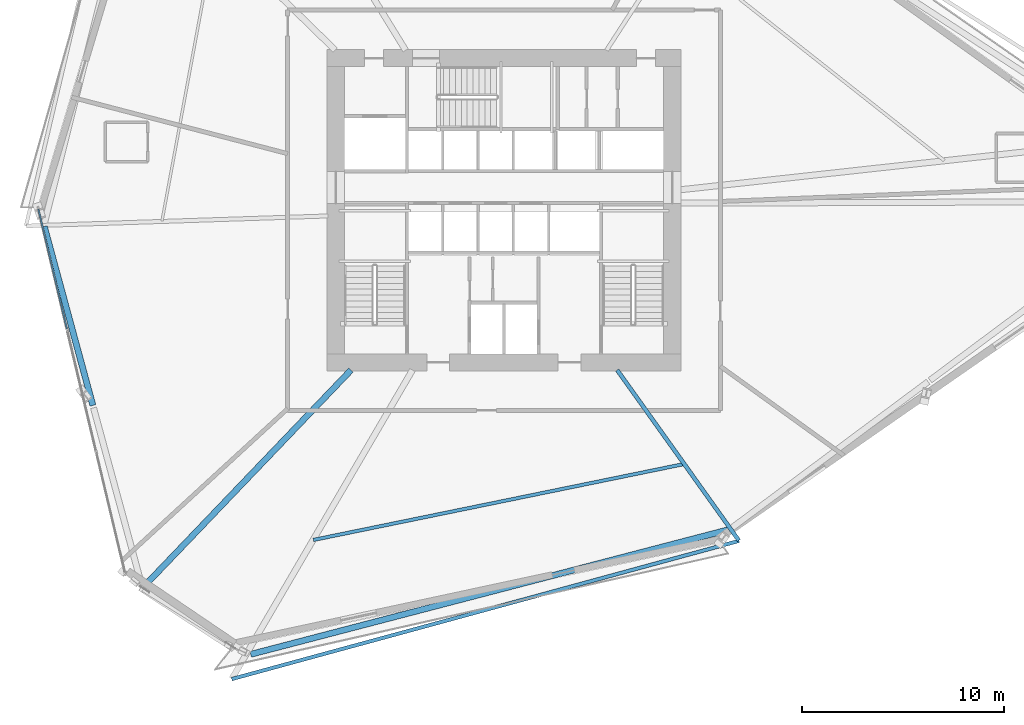
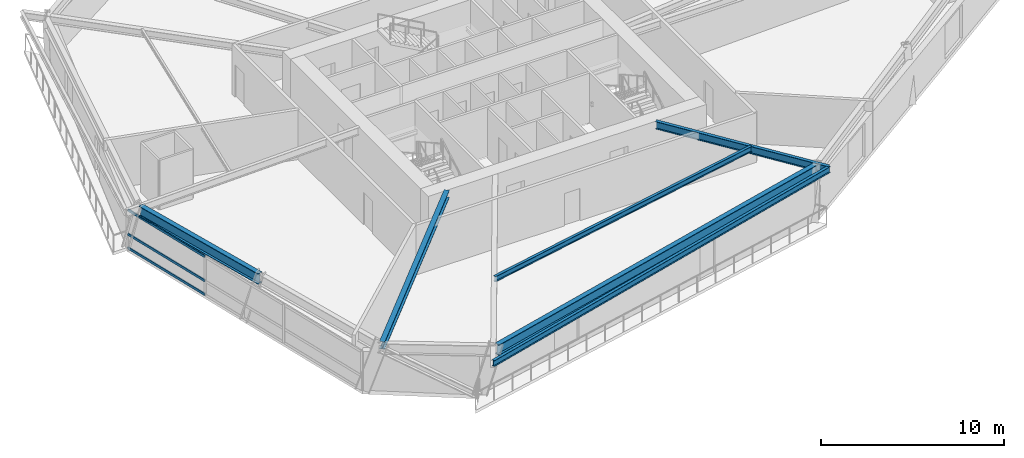
# One storey, part 5 of 21: 6 beams, 3 members, 1 element without a shape of its own.
"""IFC4 building model written with IfcOpenShell, lengths in metres."""

from ifc_helpers import new_model, si_unit, direction, frame, origin, origin_2d, place, context, subcontext, project, spatial, hollow_rectangle, i_section, extrude, source, transform, mapped, material, material_profile, profile_set, type_object, element, aggregate, save


model = new_model("IFC4")

# Units and contexts
model_context = context("Model", 3, precision=1e-05, world=origin(), true_north=direction((0.0, 1.0)))
body_context = subcontext(model_context, "Body", "Model", "MODEL_VIEW")
ifc_project = project(units=[si_unit("LENGTHUNIT", "METRE"), si_unit("AREAUNIT", "SQUARE_METRE"), si_unit("VOLUMEUNIT", "CUBIC_METRE"), si_unit("PLANEANGLEUNIT", "RADIAN"), si_unit("MASSUNIT", "GRAM", prefix="KILO")], contexts=[model_context])

# Site, building, storey
site_placement = place(None, origin())
site = spatial("IfcSite", under=ifc_project, at=site_placement, CompositionType="ELEMENT")
building_placement = place(site_placement, origin())
building = spatial("IfcBuilding", under=site, at=building_placement, Name="Olszyna Solenne Hotel", CompositionType="ELEMENT")
storey_placement = place(building_placement, frame((0.0, 0.0, 39.949951171875)))
storey = spatial("IfcBuildingStorey", under=building, at=storey_placement, Name="L09", CompositionType="ELEMENT", Elevation=39.949951171875)

# Beams
ifc_material_1 = material(Name="Steel S355J2", Category="steel")
ifc_material_profile_1 = material_profile(ifc_material_1, i_section(OverallWidth=0.300048828125, OverallDepth=0.699951171875, WebThickness=0.01708984375, FlangeThickness=0.031982421875, at=origin_2d()), Name="HEB 700", Category="load-bearing")
ifc_profile_set_1 = profile_set([ifc_material_profile_1], Name="Steel S355J2")
beam_type_1 = type_object("IfcBeamType", Name="BM-S1", PredefinedType="BEAM", material=ifc_profile_set_1)
shared_shape_1 = source(origin(), body_context, "Body", "SweptSolid", [
    extrude(i_section(OverallWidth=0.300048828125, OverallDepth=0.699951171875, WebThickness=0.01708984375, FlangeThickness=0.031982421875, at=origin_2d()), origin(), (0.0, 0.0, 1.0), 9.1748046875),
])
beam_1_placement = place(storey_placement, frame((15.265380859375, 25.796630859375, 2.949951171875), z_axis=(0.262052243738, -0.96505368843, 0.0), x_axis=(0.96505368843, 0.262052243738, 0.0)))
element("IfcBeam", 1, at=beam_1_placement, inside=storey, type_object=beam_type_1, Name="Perimeter spandrel beam BM-S1 B-L09-0295", PredefinedType="BEAM", context=body_context, shape_type="MappedRepresentation", body=[
    mapped(shared_shape_1, transform((0.0, 0.0, 0.0), x_axis=(1.0, 0.0, 0.0), y_axis=(0.0, 1.0, 0.0), z_axis=(0.0, 0.0, 1.0), scale=1.0)),
])
shared_shape_2 = source(origin(), body_context, "Body", "SweptSolid", [
    extrude(i_section(OverallWidth=0.300048828125, OverallDepth=0.699951171875, WebThickness=0.01708984375, FlangeThickness=0.031982421875, at=origin_2d()), origin(), (0.0, 0.0, 1.0), 24.435546875),
])
beam_2_placement = place(storey_placement, frame((25.471923828125, 4.635009765625, 2.949951171875), z_axis=(0.967623213832, 0.252399120549, 0.0), x_axis=(-0.252399120549, 0.967623213832, 0.0)))
element("IfcBeam", 2, at=beam_2_placement, inside=storey, type_object=beam_type_1, Name="Perimeter spandrel beam BM-S1 B-L09-0298", PredefinedType="BEAM", context=body_context, shape_type="MappedRepresentation", body=[
    mapped(shared_shape_2, transform((0.0, 0.0, 0.0), x_axis=(1.0, 0.0, 0.0), y_axis=(0.0, 1.0, 0.0), z_axis=(0.0, 0.0, 1.0), scale=1.0)),
])
ifc_material_profile_2 = material_profile(ifc_material_1, i_section(OverallWidth=0.300048828125, OverallDepth=0.489990234375, WebThickness=0.011962890625, FlangeThickness=0.02294921875, at=origin_2d()), Name="HEA 500", Category="load-bearing")
ifc_profile_set_2 = profile_set([ifc_material_profile_2], Name="Steel S355J2")
beam_type_2 = type_object("IfcBeamType", Name="BM-G1", PredefinedType="BEAM", material=ifc_profile_set_2)
shared_shape_3 = source(origin(), body_context, "Body", "SweptSolid", [
    extrude(i_section(OverallWidth=0.300048828125, OverallDepth=0.489990234375, WebThickness=0.011962890625, FlangeThickness=0.02294921875, at=origin_2d()), origin(), (0.0, 0.0, 1.0), 14.84814453125),
])
beam_3_placement = place(storey_placement, frame((20.162353515625, 7.9580078125, 3.054931640625), z_axis=(0.691355910617, 0.722514363078, 0.0), x_axis=(-0.722514363078, 0.691355910617, 0.0)))
element("IfcBeam", 3, at=beam_3_placement, inside=storey, type_object=beam_type_2, Name="Radial floor girder BM-G1 B-L09-0307", PredefinedType="BEAM", context=body_context, shape_type="MappedRepresentation", body=[
    mapped(shared_shape_3, transform((0.0, 0.0, 0.0), x_axis=(1.0, 0.0, 0.0), y_axis=(0.0, 1.0, 0.0), z_axis=(0.0, 0.0, 1.0), scale=1.0)),
])
ifc_material_profile_3 = material_profile(ifc_material_1, i_section(OverallWidth=0.199951171875, OverallDepth=0.5, WebThickness=0.01025390625, FlangeThickness=0.01611328125, at=origin_2d()), Name="IPE 500", Category="load-bearing")
ifc_profile_set_3 = profile_set([ifc_material_profile_3], Name="Steel S355J2")
beam_type_3 = type_object("IfcBeamType", Name="BM-F3", PredefinedType="BEAM", material=ifc_profile_set_3)
shared_shape_4 = source(origin(), body_context, "Body", "SweptSolid", [
    extrude(i_section(OverallWidth=0.199951171875, OverallDepth=0.5, WebThickness=0.01025390625, FlangeThickness=0.01611328125, at=origin_2d()), origin(), (0.0, 0.0, 1.0), 10.35205078125),
])
beam_4_placement = place(storey_placement, frame((49.61328125, 10.2646484375, 3.050048828125), z_axis=(-0.580896812397, 0.813977206897, 0.0), x_axis=(-0.813977206897, -0.580896812397, 0.0)))
element("IfcBeam", 4, at=beam_4_placement, inside=storey, type_object=beam_type_3, Name="Radial floor girder BM-F3 B-L09-0309", PredefinedType="BEAM", context=body_context, shape_type="MappedRepresentation", body=[
    mapped(shared_shape_4, transform((0.0, 0.0, 0.0), x_axis=(1.0, 0.0, 0.0), y_axis=(0.0, 1.0, 0.0), z_axis=(0.0, 0.0, 1.0), scale=1.0)),
])
ifc_material_profile_4 = material_profile(ifc_material_1, i_section(OverallWidth=0.169921875, OverallDepth=0.360107421875, WebThickness=0.008056640625, FlangeThickness=0.0126953125, at=origin_2d()), Name="IPE 360", Category="load-bearing")
ifc_profile_set_4 = profile_set([ifc_material_profile_4], Name="Steel S355J2")
beam_type_4 = type_object("IfcBeamType", Name="JS-01", PredefinedType="JOIST", material=ifc_profile_set_4)
shared_shape_5 = source(origin(), body_context, "Body", "SweptSolid", [
    extrude(i_section(OverallWidth=0.169921875, OverallDepth=0.360107421875, WebThickness=0.008056640625, FlangeThickness=0.0126953125, at=origin_2d()), origin(), (0.0, 0.0, 1.0), 18.697509765625),
])
beam_5_placement = place(storey_placement, frame((28.57666015625, 10.29296875, 3.1201171875), z_axis=(0.979675527331, 0.200588786198, 0.0), x_axis=(-0.200588786198, 0.979675527331, 0.0)))
element("IfcBeam", 5, at=beam_5_placement, inside=storey, type_object=beam_type_4, Name="Secondary composite floor joist JS-01 B-L09-0314", PredefinedType="JOIST", context=body_context, shape_type="MappedRepresentation", body=[
    mapped(shared_shape_5, transform((0.0, 0.0, 0.0), x_axis=(1.0, 0.0, 0.0), y_axis=(0.0, 1.0, 0.0), z_axis=(0.0, 0.0, 1.0), scale=1.0)),
])
ifc_material_profile_5 = material_profile(ifc_material_1, i_section(OverallWidth=0.179931640625, OverallDepth=0.39990234375, WebThickness=0.008544921875, FlangeThickness=0.013427734375, at=origin_2d()), Name="IPE 400", Category="load-bearing")
ifc_profile_set_5 = profile_set([ifc_material_profile_5], Name="Steel S355J2")
beam_type_5 = type_object("IfcBeamType", Name="BM-F5", PredefinedType="BEAM", material=ifc_profile_set_5)
shared_shape_6 = source(origin(), body_context, "Body", "SweptSolid", [
    extrude(i_section(OverallWidth=0.179931640625, OverallDepth=0.39990234375, WebThickness=0.008544921875, FlangeThickness=0.013427734375, at=origin_2d()), origin(), (0.0, 0.0, 1.0), 26.004150390625),
])
beam_6_placement = place(storey_placement, frame((24.535400390625, 3.41259765625, 3.10009765625), z_axis=(0.964831386838, 0.262869539834, 0.0), x_axis=(-0.262869539834, 0.964831386838, 0.0)))
element("IfcBeam", 6, at=beam_6_placement, inside=storey, type_object=beam_type_5, Name="Loggia outer edge beam BM-F5 B-L09-0317", PredefinedType="BEAM", context=body_context, shape_type="MappedRepresentation", body=[
    mapped(shared_shape_6, transform((0.0, 0.0, 0.0), x_axis=(1.0, 0.0, 0.0), y_axis=(0.0, 1.0, 0.0), z_axis=(0.0, 0.0, 1.0), scale=1.0)),
])

# Curtain wall, members
ifc_material_2 = material(Name="Anodised bronze aluminium", Category="aluminium")
curtain_wall_type = type_object("IfcCurtainWallType", Name="CW-SYS-2", PredefinedType="NOTDEFINED", material=ifc_material_2)
curtain_wall_placement = place(storey_placement, origin())
curtain_wall = element("IfcCurtainWall", 7, at=curtain_wall_placement, inside=storey, type_object=curtain_wall_type, Name="Unitised curtain wall CW-SYS-2 CW-L09-01", PredefinedType="NOTDEFINED")
ifc_material_profile_6 = material_profile(ifc_material_2, hollow_rectangle(XDim=0.074951171875, YDim=0.159912109375, WallThickness=0.00390625, at=origin_2d()), Name="TRAN 160x75x4", Category="load-bearing")
ifc_profile_set_6 = profile_set([ifc_material_profile_6], Name="Anodised bronze aluminium")
member_type = type_object("IfcMemberType", Name="CW-T1", PredefinedType="USERDEFINED", material=ifc_profile_set_6)
shared_shape_7 = source(origin(), body_context, "Body", "SweptSolid", [
    extrude(hollow_rectangle(XDim=0.074951171875, YDim=0.159912109375, WallThickness=0.00390625, at=origin_2d()), origin(), (0.0, 0.0, 1.0), 6.10693359375),
])
member_1_placement = place(storey_placement, frame((14.972412109375, 26.65966796875, 0.03759765625), z_axis=(0.23203307049, -0.972707897675, 0.0), x_axis=(0.972707897675, 0.23203307049, 0.0)))
member_1 = element("IfcMember", 8, at=member_1_placement, type_object=member_type, Name="Curtain-wall transom CW-T1 CT-L09-01-01", ObjectType="TRANSOM", PredefinedType="USERDEFINED", context=body_context, shape_type="MappedRepresentation", body=[
    mapped(shared_shape_7, transform((0.0, 0.0, 0.0), x_axis=(1.0, 0.0, 0.0), y_axis=(0.0, 1.0, 0.0), z_axis=(0.0, 0.0, 1.0), scale=1.0)),
])
member_2_placement = place(storey_placement, frame((14.972412109375, 26.65966796875, 0.949951171875), z_axis=(0.23203307049, -0.972707897675, 0.0), x_axis=(0.972707897675, 0.23203307049, 0.0)))
member_2 = element("IfcMember", 9, at=member_2_placement, type_object=member_type, Name="Curtain-wall transom CW-T1 CT-L09-01-02", ObjectType="TRANSOM", PredefinedType="USERDEFINED", context=body_context, shape_type="MappedRepresentation", body=[
    mapped(shared_shape_7, transform((0.0, 0.0, 0.0), x_axis=(1.0, 0.0, 0.0), y_axis=(0.0, 1.0, 0.0), z_axis=(0.0, 0.0, 1.0), scale=1.0)),
])
member_3_placement = place(storey_placement, frame((14.972412109375, 26.65966796875, 2.554443359375), z_axis=(0.23203307049, -0.972707897675, 0.0), x_axis=(0.972707897675, 0.23203307049, 0.0)))
member_3 = element("IfcMember", 10, at=member_3_placement, type_object=member_type, Name="Curtain-wall transom CW-T1 CT-L09-01-03", ObjectType="TRANSOM", PredefinedType="USERDEFINED", context=body_context, shape_type="MappedRepresentation", body=[
    mapped(shared_shape_7, transform((0.0, 0.0, 0.0), x_axis=(1.0, 0.0, 0.0), y_axis=(0.0, 1.0, 0.0), z_axis=(0.0, 0.0, 1.0), scale=1.0)),
])
aggregate(curtain_wall, [member_1, member_2, member_3])

save(model, "model.ifc")
